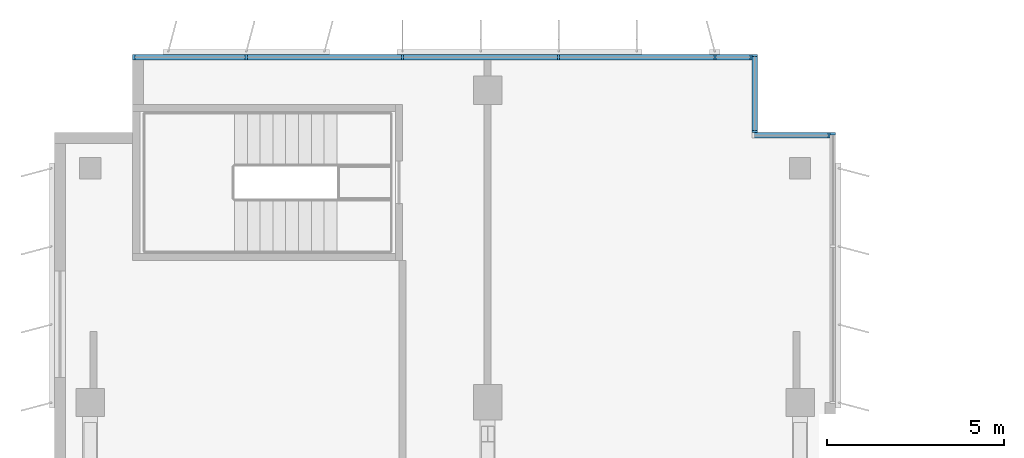
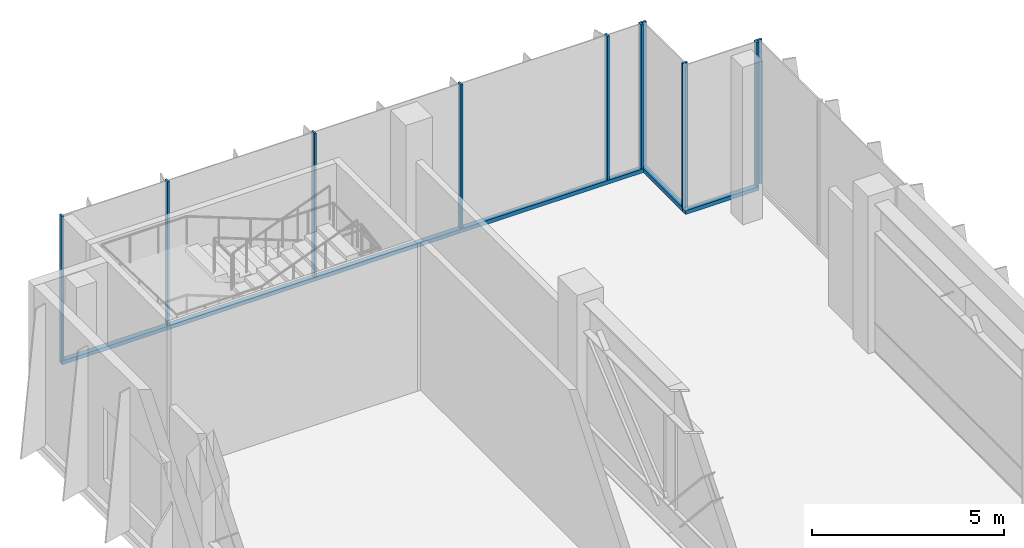
# One storey, part 5 of 13: 13 members, 4 elements without a shape of their own.
"""IFC4 building model written with IfcOpenShell, lengths in metres."""

from ifc_helpers import new_model, si_unit, direction, frame, origin, origin_2d, place, context, subcontext, project, spatial, rectangle, extrude, source, transform, mapped, material, material_profile, profile_set, type_object, element, aggregate, save


model = new_model("IFC4")

# Units and contexts
model_context = context("Model", 3, precision=1e-05, world=origin(), true_north=direction((0.0, 1.0)))
body_context = subcontext(model_context, "Body", "Model", "MODEL_VIEW")
ifc_project = project(units=[si_unit("LENGTHUNIT", "METRE"), si_unit("AREAUNIT", "SQUARE_METRE"), si_unit("VOLUMEUNIT", "CUBIC_METRE"), si_unit("PLANEANGLEUNIT", "RADIAN"), si_unit("MASSUNIT", "GRAM", prefix="KILO")], contexts=[model_context])

# Site, building, storey
site_placement = place(None, origin())
site = spatial("IfcSite", under=ifc_project, at=site_placement, CompositionType="ELEMENT")
building_placement = place(site_placement, origin())
building = spatial("IfcBuilding", under=site, at=building_placement, Name="Kemantara Hotel Tower", CompositionType="ELEMENT")
storey_placement = place(building_placement, frame((0.0, 0.0, 256.10009765625)))
storey = spatial("IfcBuildingStorey", under=building, at=storey_placement, Name="L64", CompositionType="ELEMENT", Elevation=256.10009765625)

# Curtain wall, member
ifc_material_1 = material(Name="Low-E tinted double insulated glass 36 mm", Category="glass")
curtain_wall_type = type_object("IfcCurtainWallType", Name="TOWER CURTAIN WALL, FRONT FACES", PredefinedType="USERDEFINED", material=ifc_material_1)
curtain_wall_1_placement = place(storey_placement, origin())
curtain_wall_1 = element("IfcCurtainWall", 1, at=curtain_wall_1_placement, inside=storey, type_object=curtain_wall_type, Name="CW4 L64 T4-R02-1", ObjectType="TOWER CURTAIN WALL, FRONT FACES", PredefinedType="USERDEFINED")
ifc_material_2 = material(Name="Aluminium 6063-T6 bronze anodised", Category="aluminium")
ifc_material_profile_1 = material_profile(ifc_material_2, rectangle(XDim=0.14990234375, YDim=0.1201171875, at=origin_2d()), Name="TOWER CURTAIN WALL, FRONT FACES TRANSOM")
ifc_profile_set_1 = profile_set([ifc_material_profile_1], Name="Aluminium 6063-T6 bronze anodised")
member_type_1 = type_object("IfcMemberType", Name="TOWER CURTAIN WALL, FRONT FACES TRANSOM", PredefinedType="USERDEFINED", material=ifc_profile_set_1)
member_1_placement = place(storey_placement, frame((19.64990234375, 63.52490234375, 0.059814453125), z_axis=(-1.0, 0.0, 0.0), x_axis=(0.0, -1.0, 0.0)))
member_1 = element("IfcMember", 2, at=member_1_placement, type_object=member_type_1, Name="CW4 sill transom T4-R02-1", ObjectType="TRANSOM", PredefinedType="USERDEFINED", context=body_context, shape_type="SweptSolid", body=[
    extrude(rectangle(XDim=0.14990234375, YDim=0.1201171875, at=origin_2d()), origin(), (0.0, 0.0, 1.0), 17.449951171875),
])

curtain_wall_2_placement = place(storey_placement, origin())
curtain_wall_2 = element("IfcCurtainWall", 3, at=curtain_wall_2_placement, inside=storey, type_object=curtain_wall_type, Name="CW4 L64 T4-R00-1", ObjectType="TOWER CURTAIN WALL, FRONT FACES", PredefinedType="USERDEFINED")
member_2_placement = place(storey_placement, frame((21.85009765625, 61.324951171875, 0.059814453125), z_axis=(-1.0, 0.0, 0.0), x_axis=(0.0, -1.0, 0.0)))
member_2 = element("IfcMember", 4, at=member_2_placement, type_object=member_type_1, Name="CW4 sill transom T4-R00-1", ObjectType="TRANSOM", PredefinedType="USERDEFINED", context=body_context, shape_type="SweptSolid", body=[
    extrude(rectangle(XDim=0.14990234375, YDim=0.1201171875, at=origin_2d()), origin(), (0.0, 0.0, 1.0), 2.2001953125),
])

curtain_wall_3_placement = place(storey_placement, origin())
curtain_wall_3 = element("IfcCurtainWall", 5, at=curtain_wall_3_placement, inside=storey, type_object=curtain_wall_type, Name="CW4 L64 T4-R01-1", ObjectType="TOWER CURTAIN WALL, FRONT FACES", PredefinedType="USERDEFINED")
member_3_placement = place(storey_placement, frame((19.72509765625, 61.39990234375, 0.059814453125), z_axis=(0.0, 1.0, 0.0), x_axis=(-1.0, 0.0, 0.0)))
member_3 = element("IfcMember", 6, at=member_3_placement, type_object=member_type_1, Name="CW4 sill transom T4-R01-1", ObjectType="TRANSOM", PredefinedType="USERDEFINED", context=body_context, shape_type="SweptSolid", body=[
    extrude(rectangle(XDim=0.14990234375, YDim=0.1201171875, at=origin_2d()), origin(), (0.0, 0.0, 1.0), 2.2001953125),
])

# Member
ifc_material_profile_2 = material_profile(ifc_material_2, rectangle(XDim=0.14990234375, YDim=0.06005859375, at=origin_2d()), Name="TOWER CURTAIN WALL, FRONT FACES MULLION")
ifc_profile_set_2 = profile_set([ifc_material_profile_2], Name="Aluminium 6063-T6 bronze anodised")
member_type_2 = type_object("IfcMemberType", Name="TOWER CURTAIN WALL, FRONT FACES MULLION", PredefinedType="MULLION", material=ifc_profile_set_2)
shared_shape = source(origin(), body_context, "Body", "SweptSolid", [
    extrude(rectangle(XDim=0.14990234375, YDim=0.06005859375, at=origin_2d()), origin(), (0.0, 0.0, 1.0), 4.580078125),
])
member_4_placement = place(storey_placement, frame((19.6201171875, 63.52490234375, 0.119873046875), z_axis=(0.0, 0.0, 1.0), x_axis=(0.0, -1.0, 0.0)))
member_4 = element("IfcMember", 7, at=member_4_placement, type_object=member_type_2, Name="CW4 mullion T4-R02-1.1", PredefinedType="MULLION", context=body_context, shape_type="MappedRepresentation", body=[
    mapped(shared_shape, transform((0.0, 0.0, 0.0))),
])

member_5_placement = place(storey_placement, frame((18.60009765625, 63.52490234375, 0.119873046875), z_axis=(0.0, 0.0, 1.0), x_axis=(0.0, -1.0, 0.0)))
member_5 = element("IfcMember", 8, at=member_5_placement, type_object=member_type_2, Name="CW4 mullion T4-R02-1.2", PredefinedType="MULLION", context=body_context, shape_type="MappedRepresentation", body=[
    mapped(shared_shape, transform((0.0, 0.0, 0.0))),
])

member_6_placement = place(storey_placement, frame((14.199951171875, 63.52490234375, 0.119873046875), z_axis=(0.0, 0.0, 1.0), x_axis=(0.0, -1.0, 0.0)))
member_6 = element("IfcMember", 9, at=member_6_placement, type_object=member_type_2, Name="CW4 mullion T4-R02-1.3", PredefinedType="MULLION", context=body_context, shape_type="MappedRepresentation", body=[
    mapped(shared_shape, transform((0.0, 0.0, 0.0))),
])

member_7_placement = place(storey_placement, frame((9.800048828125, 63.52490234375, 0.119873046875), z_axis=(0.0, 0.0, 1.0), x_axis=(0.0, -1.0, 0.0)))
member_7 = element("IfcMember", 10, at=member_7_placement, type_object=member_type_2, Name="CW4 mullion T4-R02-1.4", PredefinedType="MULLION", context=body_context, shape_type="MappedRepresentation", body=[
    mapped(shared_shape, transform((0.0, 0.0, 0.0))),
])

member_8_placement = place(storey_placement, frame((5.39990234375, 63.52490234375, 0.119873046875), z_axis=(0.0, 0.0, 1.0), x_axis=(0.0, -1.0, 0.0)))
member_8 = element("IfcMember", 11, at=member_8_placement, type_object=member_type_2, Name="CW4 mullion T4-R02-1.5", PredefinedType="MULLION", context=body_context, shape_type="MappedRepresentation", body=[
    mapped(shared_shape, transform((0.0, 0.0, 0.0))),
])

member_9_placement = place(storey_placement, frame((2.22998046875, 63.52490234375, 0.119873046875), z_axis=(0.0, 0.0, 1.0), x_axis=(0.0, -1.0, 0.0)))
member_9 = element("IfcMember", 12, at=member_9_placement, type_object=member_type_2, Name="CW4 mullion T4-R02-1.6", PredefinedType="MULLION", context=body_context, shape_type="MappedRepresentation", body=[
    mapped(shared_shape, transform((0.0, 0.0, 0.0))),
])

aggregate(curtain_wall_1, [member_1, member_4, member_5, member_6, member_7, member_8, member_9])

# Curtain wall, member
curtain_wall_4_placement = place(storey_placement, origin())
curtain_wall_4 = element("IfcCurtainWall", 13, at=curtain_wall_4_placement, inside=storey, type_object=curtain_wall_type, Name="CW4 L64 T4-R15-2", ObjectType="TOWER CURTAIN WALL, FRONT FACES", PredefinedType="USERDEFINED")
member_10_placement = place(storey_placement, frame((21.925048828125, 61.3701171875, 0.119873046875), z_axis=(0.0, 0.0, 1.0), x_axis=(-1.0, 0.0, 0.0)))
member_10 = element("IfcMember", 14, at=member_10_placement, type_object=member_type_2, Name="CW4 mullion T4-R15-2.3", PredefinedType="MULLION", context=body_context, shape_type="MappedRepresentation", body=[
    mapped(shared_shape, transform((0.0, 0.0, 0.0))),
])
aggregate(curtain_wall_4, [member_10])

# Member
member_11_placement = place(storey_placement, frame((21.820068359375, 61.324951171875, 0.119873046875), z_axis=(0.0, 0.0, 1.0), x_axis=(0.0, -1.0, 0.0)))
member_11 = element("IfcMember", 15, at=member_11_placement, type_object=member_type_2, Name="CW4 mullion T4-R00-1.1", PredefinedType="MULLION", context=body_context, shape_type="MappedRepresentation", body=[
    mapped(shared_shape, transform((0.0, 0.0, 0.0))),
])

aggregate(curtain_wall_2, [member_2, member_11])

member_12_placement = place(storey_placement, frame((19.72509765625, 61.429931640625, 0.119873046875), z_axis=(0.0, 0.0, 1.0), x_axis=(-1.0, 0.0, 0.0)))
member_12 = element("IfcMember", 16, at=member_12_placement, type_object=member_type_2, Name="CW4 mullion T4-R01-1.1", PredefinedType="MULLION", context=body_context, shape_type="MappedRepresentation", body=[
    mapped(shared_shape, transform((0.0, 0.0, 0.0))),
])

member_13_placement = place(storey_placement, frame((19.72509765625, 63.570068359375, 0.119873046875), z_axis=(0.0, 0.0, 1.0), x_axis=(-1.0, 0.0, 0.0)))
member_13 = element("IfcMember", 17, at=member_13_placement, type_object=member_type_2, Name="CW4 mullion T4-R01-1.2", PredefinedType="MULLION", context=body_context, shape_type="MappedRepresentation", body=[
    mapped(shared_shape, transform((0.0, 0.0, 0.0))),
])

aggregate(curtain_wall_3, [member_3, member_12, member_13])

save(model, "model.ifc")
